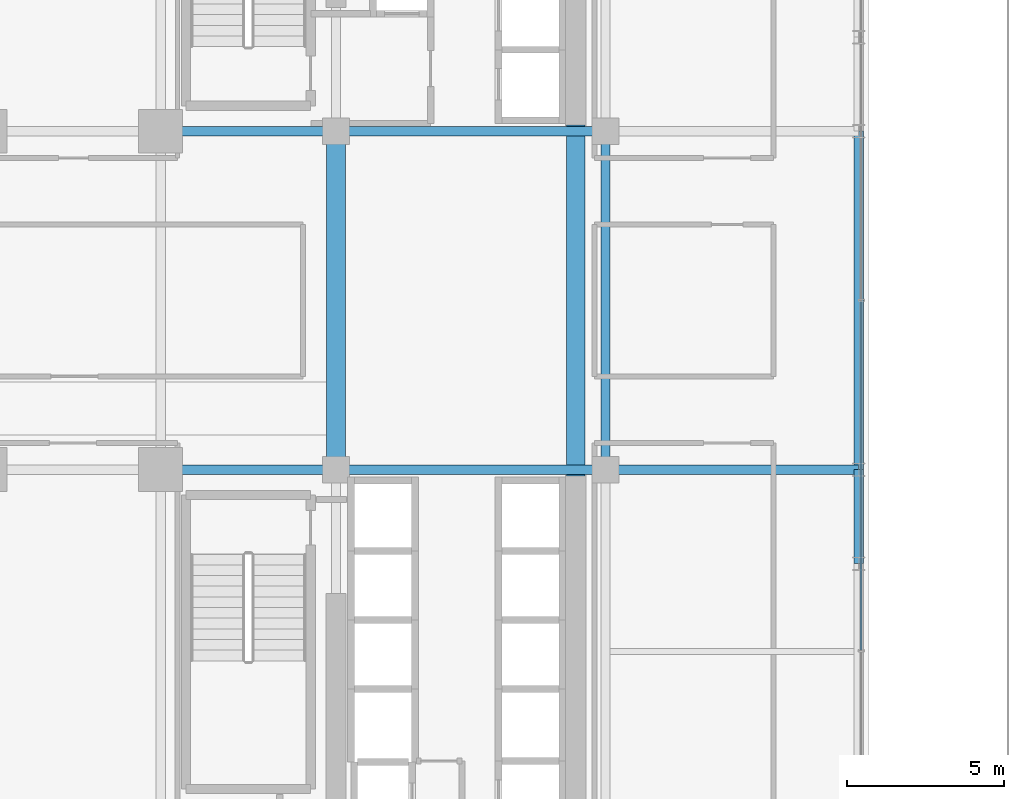
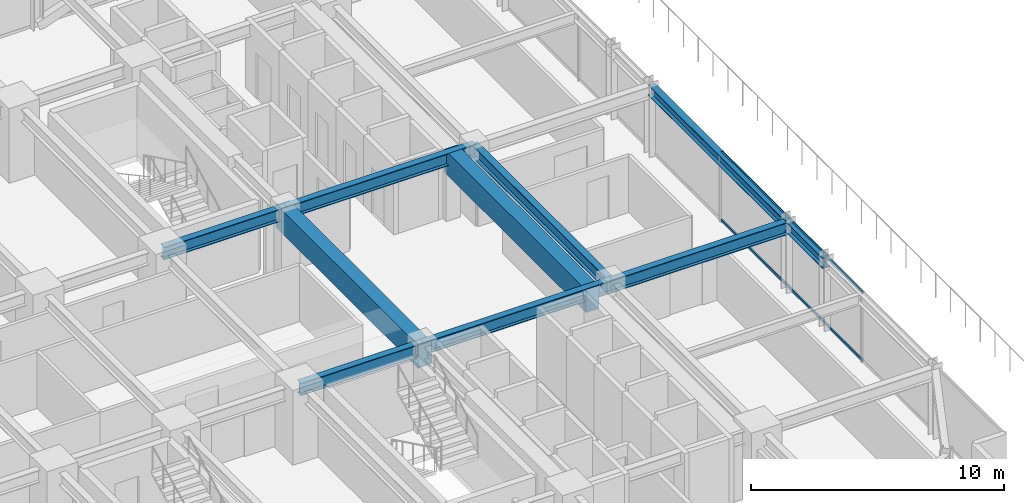
# One storey, part 16 of 39: 10 beams, 2 members, 1 element without a shape of its own.
"""IFC4 building model written with IfcOpenShell, lengths in metres."""

from ifc_helpers import new_model, si_unit, direction, frame, origin, origin_2d, place, context, subcontext, project, spatial, rectangle, hollow_rectangle, i_section, extrude, source, transform, mapped, material, material_profile, profile_set, type_object, element, aggregate, save


model = new_model("IFC4")

# Units and contexts
model_context = context("Model", 3, precision=1e-05, world=origin(), true_north=direction((0.0, 1.0)))
body_context = subcontext(model_context, "Body", "Model", "MODEL_VIEW")
ifc_project = project(units=[si_unit("LENGTHUNIT", "METRE"), si_unit("AREAUNIT", "SQUARE_METRE"), si_unit("VOLUMEUNIT", "CUBIC_METRE"), si_unit("PLANEANGLEUNIT", "RADIAN"), si_unit("MASSUNIT", "GRAM", prefix="KILO")], contexts=[model_context])

# Site, building, storey
site_placement = place(None, origin())
site = spatial("IfcSite", under=ifc_project, at=site_placement, CompositionType="ELEMENT")
building_placement = place(site_placement, origin())
building = spatial("IfcBuilding", under=site, at=building_placement, Name="Nahalor Promenade Grand Hotel", CompositionType="ELEMENT")
storey_placement = place(building_placement, frame((0.0, 0.0, 32.39990234375)))
storey = spatial("IfcBuildingStorey", under=building, at=storey_placement, Name="L06", CompositionType="ELEMENT", Elevation=32.39990234375)

# Beams
ifc_material_1 = material(Name="Concrete B-60 (C50/60)", Category="concrete")
ifc_material_profile_1 = material_profile(ifc_material_1, rectangle(XDim=0.6, YDim=1.1, at=origin_2d()), Name="RC 600x1100")
ifc_profile_set_1 = profile_set([ifc_material_profile_1], Name="Concrete B-60 (C50/60)")
beam_type_1 = type_object("IfcBeamType", Name="Beam-Lintel-RC1100", PredefinedType="LINTEL", material=ifc_profile_set_1)
shared_shape_1 = source(origin(), body_context, "Body", "SweptSolid", [
    extrude(rectangle(XDim=0.6, YDim=1.1, at=origin_2d()), origin(), (0.0, 0.0, 1.0), 11.2001953125),
])
for number, where, z_axis, x_axis, name in (
    (1, (8.39990234375, -5.60009765625, 2.820068359375), (0.0, 1.0, 0.0), (-1.0, 0.0, 0.0), "BM-L06-LINT-W"),
    (2, (16.050048828125, -5.60009765625, 2.820068359375), (0.0, 1.0, 0.0), (-1.0, 0.0, 0.0), "BM-L06-LINT-E"),
):
    element("IfcBeam", number, at=place(storey_placement, frame(where, z_axis=z_axis, x_axis=x_axis)), inside=storey, type_object=beam_type_1, Name=name, PredefinedType="LINTEL", context=body_context, shape_type="MappedRepresentation", body=[
        mapped(shared_shape_1, transform((0.0, 0.0, 0.0), scale=1.0)),
    ])
ifc_material_2 = material(Name="Steel S355JR", Category="steel")
ifc_material_profile_2 = material_profile(ifc_material_2, i_section(OverallWidth=0.3, OverallDepth=0.6, WebThickness=0.0155, FlangeThickness=0.03, at=origin_2d()), Name="HEB 600")
ifc_profile_set_2 = profile_set([ifc_material_profile_2], Name="Steel S355JR")
beam_type_2 = type_object("IfcBeamType", Name="Beam-Girder-HEB600", PredefinedType="BEAM", material=ifc_profile_set_2)
shared_shape_2 = source(origin(), body_context, "Body", "SweptSolid", [
    extrude(i_section(OverallWidth=0.3, OverallDepth=0.6, WebThickness=0.0155, FlangeThickness=0.03, at=origin_2d()), origin(), (0.0, 0.0, 1.0), 8.60009765625),
])
for number, where, z_axis, x_axis, name in (
    (3, (8.39990234375, -5.39990234375, 3.070068359375), (1.0, 0.0, 0.0), (0.0, 1.0, 0.0), "BM-L06-GX-1-5"),
    (4, (8.39990234375, 5.39990234375, 3.070068359375), (1.0, 0.0, 0.0), (0.0, 1.0, 0.0), "BM-L06-GX-2-5"),
):
    element("IfcBeam", number, at=place(storey_placement, frame(where, z_axis=z_axis, x_axis=x_axis)), inside=storey, type_object=beam_type_2, Name=name, PredefinedType="BEAM", context=body_context, shape_type="MappedRepresentation", body=[
        mapped(shared_shape_2, transform((0.0, 0.0, 0.0), scale=1.0)),
    ])
shared_shape_3 = source(origin(), body_context, "Body", "SweptSolid", [
    extrude(i_section(OverallWidth=0.3, OverallDepth=0.6, WebThickness=0.0155, FlangeThickness=0.03, at=origin_2d()), origin(), (0.0, 0.0, 1.0), 5.599853515625),
])
for number, where, z_axis, x_axis, name in (
    (5, (2.800048828125, -5.39990234375, 3.070068359375), (1.0, 0.0, 0.0), (0.0, 1.0, 0.0), "BM-L06-GX-1-4"),
    (6, (2.800048828125, 5.39990234375, 3.070068359375), (1.0, 0.0, 0.0), (0.0, 1.0, 0.0), "BM-L06-GX-2-4"),
):
    element("IfcBeam", number, at=place(storey_placement, frame(where, z_axis=z_axis, x_axis=x_axis)), inside=storey, type_object=beam_type_2, Name=name, PredefinedType="BEAM", context=body_context, shape_type="MappedRepresentation", body=[
        mapped(shared_shape_3, transform((0.0, 0.0, 0.0), scale=1.0)),
    ])
shared_shape_4 = source(origin(), body_context, "Body", "SweptSolid", [
    extrude(i_section(OverallWidth=0.3, OverallDepth=0.6, WebThickness=0.0155, FlangeThickness=0.03, at=origin_2d()), origin(), (0.0, 0.0, 1.0), 10.7998046875),
])
beam_1_placement = place(storey_placement, frame((17.0, -5.39990234375, 3.070068359375), z_axis=(0.0, 1.0, 0.0), x_axis=(-1.0, 0.0, 0.0)))
element("IfcBeam", 7, at=beam_1_placement, inside=storey, type_object=beam_type_2, Name="BM-L06-GY-5-2", PredefinedType="BEAM", context=body_context, shape_type="MappedRepresentation", body=[
    mapped(shared_shape_4, transform((0.0, 0.0, 0.0), scale=1.0)),
])
ifc_material_profile_3 = material_profile(ifc_material_2, i_section(OverallWidth=0.3, OverallDepth=0.5, WebThickness=0.0145, FlangeThickness=0.028, at=origin_2d()), Name="HEB 500")
ifc_profile_set_3 = profile_set([ifc_material_profile_3], Name="Steel S355JR")
beam_type_3 = type_object("IfcBeamType", Name="Beam-Spandrel-HEB500", PredefinedType="SPANDREL", material=ifc_profile_set_3)
shared_shape_5 = source(origin(), body_context, "Body", "SweptSolid", [
    extrude(i_section(OverallWidth=0.3, OverallDepth=0.5, WebThickness=0.0145, FlangeThickness=0.028, at=origin_2d()), origin(), (0.0, 0.0, 1.0), 3.0),
])
beam_2_placement = place(storey_placement, frame((25.080078125, -8.39990234375, 3.1201171875), z_axis=(0.0, 1.0, 0.0), x_axis=(-1.0, 0.0, 0.0)))
element("IfcBeam", 8, at=beam_2_placement, inside=storey, type_object=beam_type_3, Name="BM-L06-SP-E-1", PredefinedType="SPANDREL", context=body_context, shape_type="MappedRepresentation", body=[
    mapped(shared_shape_5, transform((0.0, 0.0, 0.0), scale=1.0)),
])
shared_shape_6 = source(origin(), body_context, "Body", "SweptSolid", [
    extrude(i_section(OverallWidth=0.3, OverallDepth=0.5, WebThickness=0.0145, FlangeThickness=0.028, at=origin_2d()), origin(), (0.0, 0.0, 1.0), 10.7998046875),
])
beam_3_placement = place(storey_placement, frame((25.080078125, -5.39990234375, 3.1201171875), z_axis=(0.0, 1.0, 0.0), x_axis=(-1.0, 0.0, 0.0)))
element("IfcBeam", 9, at=beam_3_placement, inside=storey, type_object=beam_type_3, Name="BM-L06-SP-E-2", PredefinedType="SPANDREL", context=body_context, shape_type="MappedRepresentation", body=[
    mapped(shared_shape_6, transform((0.0, 0.0, 0.0), scale=1.0)),
])
shared_shape_7 = source(origin(), body_context, "Body", "SweptSolid", [
    extrude(i_section(OverallWidth=0.3, OverallDepth=0.6, WebThickness=0.0155, FlangeThickness=0.03, at=origin_2d()), origin(), (0.0, 0.0, 1.0), 8.080078125),
])
beam_4_placement = place(storey_placement, frame((17.0, -5.39990234375, 3.070068359375), z_axis=(1.0, 0.0, 0.0), x_axis=(0.0, 1.0, 0.0)))
element("IfcBeam", 10, at=beam_4_placement, inside=storey, type_object=beam_type_2, Name="BM-L06-GX-1-6", PredefinedType="BEAM", context=body_context, shape_type="MappedRepresentation", body=[
    mapped(shared_shape_7, transform((0.0, 0.0, 0.0), scale=1.0)),
])

# Curtain wall, members
ifc_material_3 = material(Name="Anodised Bronze Aluminium EN AW-6063 T6", Category="aluminium")
curtain_wall_type = type_object("IfcCurtainWallType", Name="CW2 Typical Hotel Flush Bronze Unitised Curtain Wall", PredefinedType="USERDEFINED", material=ifc_material_3)
curtain_wall_placement = place(storey_placement, origin())
curtain_wall = element("IfcCurtainWall", 11, at=curtain_wall_placement, inside=storey, type_object=curtain_wall_type, Name="L06 Curtain Wall CW-L06-E-1", ObjectType="UNITISED_CURTAIN_WALL", PredefinedType="USERDEFINED")
ifc_material_profile_4 = material_profile(ifc_material_3, hollow_rectangle(XDim=0.065, YDim=0.13, WallThickness=0.004, at=origin_2d()), Name="CWT 65x130x4")
ifc_profile_set_4 = profile_set([ifc_material_profile_4], Name="Anodised Bronze Aluminium EN AW-6063 T6")
member_type = type_object("IfcMemberType", Name="CWT2 Typical Bronze Transom 65x130", PredefinedType="USERDEFINED", material=ifc_profile_set_4)
shared_shape_8 = source(origin(), body_context, "Body", "SweptSolid", [
    extrude(hollow_rectangle(XDim=0.065, YDim=0.13, WallThickness=0.004, at=origin_2d()), origin(), (0.0, 0.0, 1.0), 11.114990234375),
])
member_1_placement = place(storey_placement, frame((25.159912109375, -11.1474609375, 0.065185546875), z_axis=(0.0, 1.0, 0.0), x_axis=(-1.0, 0.0, 0.0)))
member_1 = element("IfcMember", 12, at=member_1_placement, type_object=member_type, Name="CW-L06-E-1 Transom 1-0", ObjectType="TRANSOM", PredefinedType="USERDEFINED", context=body_context, shape_type="MappedRepresentation", body=[
    mapped(shared_shape_8, transform((0.0, 0.0, 0.0), scale=1.0)),
])
member_2_placement = place(storey_placement, frame((25.159912109375, -11.1474609375, 3.30517578125), z_axis=(0.0, 1.0, 0.0), x_axis=(-1.0, 0.0, 0.0)))
member_2 = element("IfcMember", 13, at=member_2_placement, type_object=member_type, Name="CW-L06-E-1 Transom 1-1", ObjectType="TRANSOM", PredefinedType="USERDEFINED", context=body_context, shape_type="MappedRepresentation", body=[
    mapped(shared_shape_8, transform((0.0, 0.0, 0.0), scale=1.0)),
])
aggregate(curtain_wall, [member_1, member_2])

save(model, "model.ifc")
